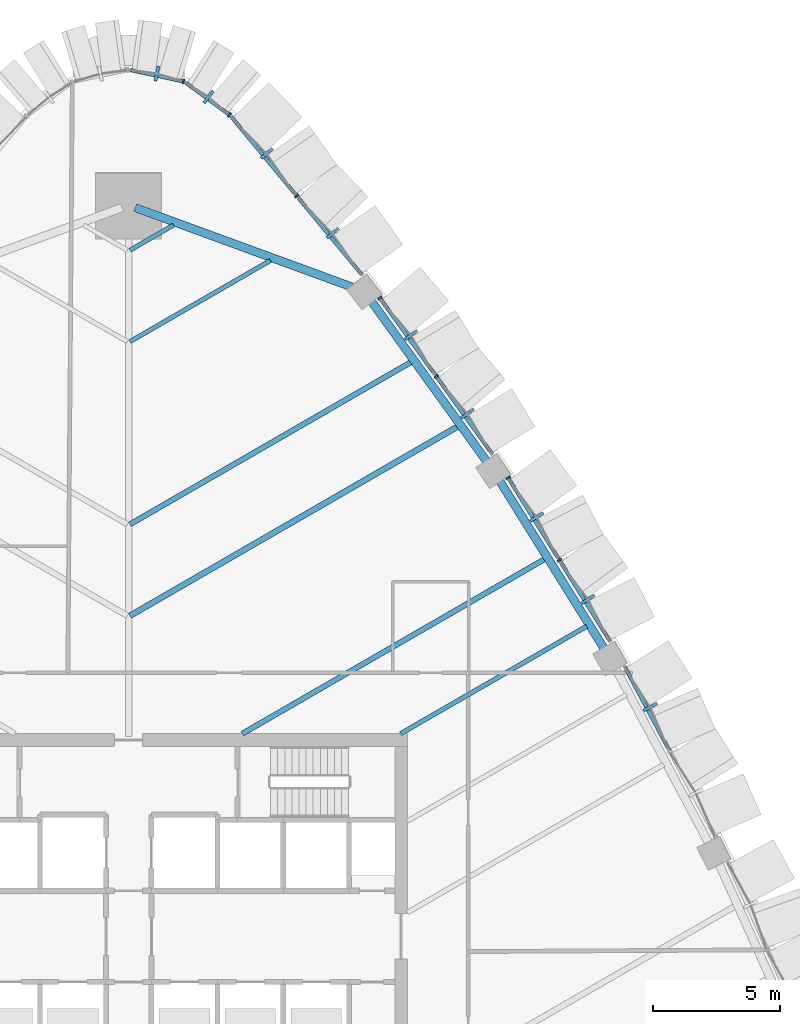
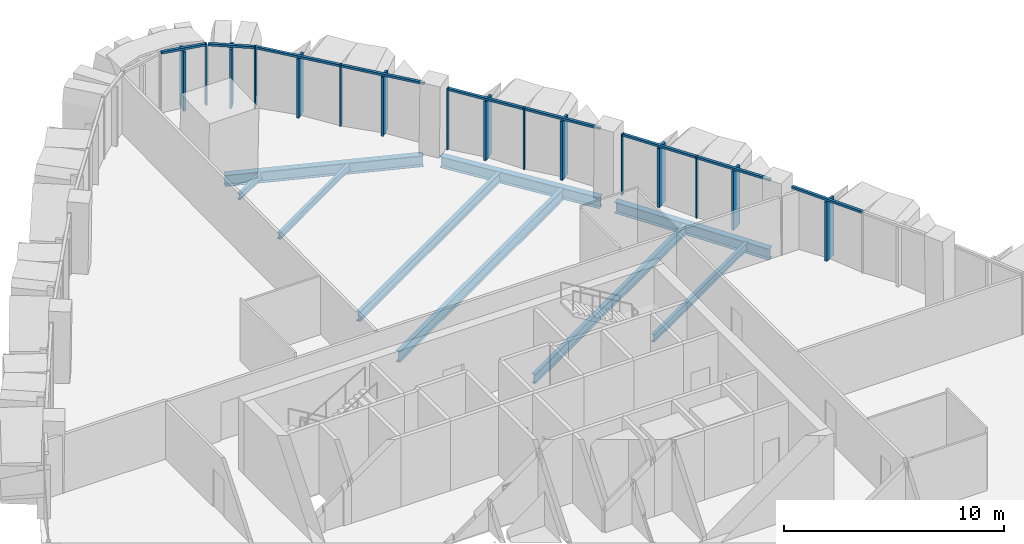
# One storey, part 7 of 18: 25 members, 9 beams, 6 elements without a shape of their own.
"""IFC4 building model written with IfcOpenShell, lengths in metres."""

from ifc_helpers import new_model, si_unit, direction, frame, origin, origin_2d, place, context, subcontext, project, spatial, rectangle, i_section, extrude, material, layer, layer_set, material_profile, profile_set, type_object, element, aggregate, save


model = new_model("IFC4")

# Units and contexts
model_context = context("Model", 3, precision=1e-05, world=origin(), true_north=direction((0.0, 1.0)))
body_context = subcontext(model_context, "Body", "Model", "MODEL_VIEW")
ifc_project = project(units=[si_unit("LENGTHUNIT", "METRE"), si_unit("AREAUNIT", "SQUARE_METRE"), si_unit("VOLUMEUNIT", "CUBIC_METRE"), si_unit("PLANEANGLEUNIT", "RADIAN"), si_unit("MASSUNIT", "GRAM", prefix="KILO")], contexts=[model_context])

# Site, building, storey
site_placement = place(None, origin())
site = spatial("IfcSite", under=ifc_project, at=site_placement, CompositionType="ELEMENT")
building_placement = place(site_placement, origin())
building = spatial("IfcBuilding", under=site, at=building_placement, Name="Sierra Prisma Convention Tower", CompositionType="ELEMENT")
storey_placement = place(building_placement, frame((0.0, 0.0, 129.800048828125)))
storey = spatial("IfcBuildingStorey", under=building, at=storey_placement, Name="L27", CompositionType="ELEMENT", Elevation=129.800048828125)

# Curtain wall, member
ifc_material_1 = material(Name="Aluminium and glass curtain wall", Category="aluminium")
ifc_layer = layer(ifc_material_1, 0.179931640625)
ifc_layer_set = layer_set([ifc_layer], Name="CW-2 Faceted crystal curtain wall")
curtain_wall_type = type_object("IfcCurtainWallType", Name="CW-2 Faceted crystal curtain wall", PredefinedType="NOTDEFINED", material=ifc_layer_set)
curtain_wall_1_placement = place(storey_placement, origin())
curtain_wall_1 = element("IfcCurtainWall", 1, at=curtain_wall_1_placement, inside=storey, type_object=curtain_wall_type, Name="CW-2 NE3 L27", PredefinedType="NOTDEFINED")
ifc_material_2 = material(Name="Aluminium 6063-T6 bronze anodised", Category="aluminium")
ifc_material_profile_1 = material_profile(ifc_material_2, rectangle(XDim=0.1201171875, YDim=0.60009765625, at=origin_2d()), Name="ALU RIDGE BLADE 120x600")
ifc_profile_set_1 = profile_set([ifc_material_profile_1], Name="Aluminium 6063-T6 bronze anodised")
member_type_1 = type_object("IfcMemberType", Name="CW hip bronze", PredefinedType="MULLION", material=ifc_profile_set_1)
member_1_placement = place(storey_placement, frame((20.587158203125, 9.053466796875, 0.0), z_axis=(0.0, 0.0, 1.0), x_axis=(-0.47075222337, 0.882265461294, 0.0)))
member_1 = element("IfcMember", 2, at=member_1_placement, type_object=member_type_1, Name="CW-2 ridge NE3.2", PredefinedType="MULLION", context=body_context, shape_type="SweptSolid", body=[
    extrude(rectangle(XDim=0.1201171875, YDim=0.60009765625, at=origin_2d()), origin(), (0.0, 0.0, 1.0), 3.280029296875),
])

# Curtain wall, members
curtain_wall_2_placement = place(storey_placement, origin())
curtain_wall_2 = element("IfcCurtainWall", 3, at=curtain_wall_2_placement, inside=storey, type_object=curtain_wall_type, Name="CW-2 NE4 L27", PredefinedType="NOTDEFINED")
member_2_placement = place(storey_placement, frame((18.13427734375, 13.30224609375, 0.0), z_axis=(0.0, 0.0, 1.0), x_axis=(-0.528688190677, 0.848816114974, 0.0)))
member_2 = element("IfcMember", 4, at=member_2_placement, type_object=member_type_1, Name="CW-2 ridge NE4.1", PredefinedType="MULLION", context=body_context, shape_type="SweptSolid", body=[
    extrude(rectangle(XDim=0.1201171875, YDim=0.60009765625, at=origin_2d()), origin(), (0.0, 0.0, 1.0), 3.280029296875),
])
member_3_placement = place(storey_placement, frame((16.10986328125, 16.552490234375, 0.0), z_axis=(0.0, 0.0, 1.0), x_axis=(-0.528688190677, 0.848816114974, 0.0)))
member_3 = element("IfcMember", 5, at=member_3_placement, type_object=member_type_1, Name="CW-2 ridge NE4.2", PredefinedType="MULLION", context=body_context, shape_type="SweptSolid", body=[
    extrude(rectangle(XDim=0.1201171875, YDim=0.60009765625, at=origin_2d()), origin(), (0.0, 0.0, 1.0), 3.280029296875),
])

curtain_wall_3_placement = place(storey_placement, origin())
curtain_wall_3 = element("IfcCurtainWall", 6, at=curtain_wall_3_placement, inside=storey, type_object=curtain_wall_type, Name="CW-2 NE5 L27", PredefinedType="NOTDEFINED")
member_4_placement = place(storey_placement, frame((13.375732421875, 20.631591796875, 0.0), z_axis=(0.0, 0.0, 1.0), x_axis=(-0.584258048296, 0.811567947249, 0.0)))
member_4 = element("IfcMember", 7, at=member_4_placement, type_object=member_type_1, Name="CW-2 ridge NE5.1", PredefinedType="MULLION", context=body_context, shape_type="SweptSolid", body=[
    extrude(rectangle(XDim=0.1201171875, YDim=0.60009765625, at=origin_2d()), origin(), (0.0, 0.0, 1.0), 3.280029296875),
])
member_5_placement = place(storey_placement, frame((11.147705078125, 23.7265625, 0.0), z_axis=(0.0, 0.0, 1.0), x_axis=(-0.584258048296, 0.811567947249, 0.0)))
member_5 = element("IfcMember", 8, at=member_5_placement, type_object=member_type_1, Name="CW-2 ridge NE5.2", PredefinedType="MULLION", context=body_context, shape_type="SweptSolid", body=[
    extrude(rectangle(XDim=0.1201171875, YDim=0.60009765625, at=origin_2d()), origin(), (0.0, 0.0, 1.0), 3.280029296875),
])

curtain_wall_4_placement = place(storey_placement, origin())
curtain_wall_4 = element("IfcCurtainWall", 9, at=curtain_wall_4_placement, inside=storey, type_object=curtain_wall_type, Name="CW-2 NE6 L27", PredefinedType="NOTDEFINED")
member_6_placement = place(storey_placement, frame((8.0556640625, 27.744384765625, 0.0), z_axis=(0.0, 0.0, 1.0), x_axis=(-0.637213096953, 0.770687659867, 0.0)))
member_6 = element("IfcMember", 10, at=member_6_placement, type_object=member_type_1, Name="CW-2 ridge NE6.1", PredefinedType="MULLION", context=body_context, shape_type="SweptSolid", body=[
    extrude(rectangle(XDim=0.1201171875, YDim=0.60009765625, at=origin_2d()), origin(), (0.0, 0.0, 1.0), 3.280029296875),
])
member_7_placement = place(storey_placement, frame((5.452392578125, 30.892822265625, 0.0), z_axis=(0.0, 0.0, 1.0), x_axis=(-0.637213096953, 0.770687659867, 0.0)))
member_7 = element("IfcMember", 11, at=member_7_placement, type_object=member_type_1, Name="CW-2 ridge NE6.2", PredefinedType="MULLION", context=body_context, shape_type="SweptSolid", body=[
    extrude(rectangle(XDim=0.1201171875, YDim=0.60009765625, at=origin_2d()), origin(), (0.0, 0.0, 1.0), 3.280029296875),
])

# Curtain wall, member
curtain_wall_5_placement = place(storey_placement, origin())
curtain_wall_5 = element("IfcCurtainWall", 12, at=curtain_wall_5_placement, inside=storey, type_object=curtain_wall_type, Name="CW-2 N1 L27", PredefinedType="NOTDEFINED")
member_8_placement = place(storey_placement, frame((3.1513671875, 33.12646484375, 0.0), z_axis=(0.0, 0.0, 1.0), x_axis=(-0.805161837096, 0.593055154336, 0.0)))
member_8 = element("IfcMember", 13, at=member_8_placement, type_object=member_type_1, Name="CW-2 ridge N1.1", PredefinedType="MULLION", context=body_context, shape_type="SweptSolid", body=[
    extrude(rectangle(XDim=0.1201171875, YDim=0.60009765625, at=origin_2d()), origin(), (0.0, 0.0, 1.0), 3.280029296875),
])

curtain_wall_6_placement = place(storey_placement, origin())
curtain_wall_6 = element("IfcCurtainWall", 14, at=curtain_wall_6_placement, inside=storey, type_object=curtain_wall_type, Name="CW-2 N2 L27", PredefinedType="NOTDEFINED")
member_9_placement = place(storey_placement, frame((1.115966796875, 34.043212890625, 0.0), z_axis=(0.0, 0.0, 1.0), x_axis=(-0.977692765089, 0.210040132101, 0.0)))
member_9 = element("IfcMember", 15, at=member_9_placement, type_object=member_type_1, Name="CW-2 ridge N2.1", PredefinedType="MULLION", context=body_context, shape_type="SweptSolid", body=[
    extrude(rectangle(XDim=0.1201171875, YDim=0.60009765625, at=origin_2d()), origin(), (0.0, 0.0, 1.0), 3.280029296875),
])

# Member
ifc_material_3 = material(Name="Aluminium 6063-T6 bronze anodised", Category="aluminium")
ifc_material_profile_2 = material_profile(ifc_material_3, rectangle(XDim=0.179931640625, YDim=0.070068359375, at=origin_2d()), Name="ALU MULLION 70x180")
ifc_profile_set_2 = profile_set([ifc_material_profile_2], Name="Aluminium 6063-T6 bronze anodised")
member_type_2 = type_object("IfcMemberType", Name="CW mullion bronze", PredefinedType="MULLION", material=ifc_profile_set_2)
member_10_placement = place(storey_placement, frame((16.99658203125, 14.84912109375, 0.0), z_axis=(0.0, 0.0, 1.0), x_axis=(-0.848816114974, -0.528688190677, 0.0)))
member_10 = element("IfcMember", 16, at=member_10_placement, type_object=member_type_2, Name="CW-1 mullion NE4.2", PredefinedType="MULLION", context=body_context, shape_type="SweptSolid", body=[
    extrude(rectangle(XDim=0.179931640625, YDim=0.070068359375, at=origin_2d()), origin(), (0.0, 0.0, 1.0), 3.39990234375),
])

member_11_placement = place(storey_placement, frame((14.97216796875, 18.09912109375, 0.0), z_axis=(0.0, 0.0, 1.0), x_axis=(-0.848816114974, -0.528688190677, 0.0)))
member_11 = element("IfcMember", 17, at=member_11_placement, type_object=member_type_2, Name="CW-1 mullion NE4.3", PredefinedType="MULLION", context=body_context, shape_type="SweptSolid", body=[
    extrude(rectangle(XDim=0.179931640625, YDim=0.070068359375, at=origin_2d()), origin(), (0.0, 0.0, 1.0), 3.39990234375),
])

member_12_placement = place(storey_placement, frame((12.14208984375, 22.093017578125, 0.0), z_axis=(0.0, 0.0, 1.0), x_axis=(-0.811567947249, -0.584258048296, 0.0)))
member_12 = element("IfcMember", 18, at=member_12_placement, type_object=member_type_2, Name="CW-1 mullion NE5.2", PredefinedType="MULLION", context=body_context, shape_type="SweptSolid", body=[
    extrude(rectangle(XDim=0.179931640625, YDim=0.070068359375, at=origin_2d()), origin(), (0.0, 0.0, 1.0), 3.39990234375),
])

member_13_placement = place(storey_placement, frame((9.9140625, 25.18798828125, 0.0), z_axis=(0.0, 0.0, 1.0), x_axis=(-0.811567947249, -0.584258048296, 0.0)))
member_13 = element("IfcMember", 19, at=member_13_placement, type_object=member_type_2, Name="CW-1 mullion NE5.3", PredefinedType="MULLION", context=body_context, shape_type="SweptSolid", body=[
    extrude(rectangle(XDim=0.179931640625, YDim=0.070068359375, at=origin_2d()), origin(), (0.0, 0.0, 1.0), 3.39990234375),
])

member_14_placement = place(storey_placement, frame((6.63232421875, 29.2177734375, 0.0), z_axis=(0.0, 0.0, 1.0), x_axis=(-0.770687659867, -0.637213096953, 0.0)))
member_14 = element("IfcMember", 20, at=member_14_placement, type_object=member_type_2, Name="CW-1 mullion NE6.2", PredefinedType="MULLION", context=body_context, shape_type="SweptSolid", body=[
    extrude(rectangle(XDim=0.179931640625, YDim=0.070068359375, at=origin_2d()), origin(), (0.0, 0.0, 1.0), 3.39990234375),
])

member_15_placement = place(storey_placement, frame((3.978759765625, 32.4140625, 0.0), z_axis=(0.0, 0.0, 1.0), x_axis=(-0.593055154336, -0.805161837096, 0.0)))
member_15 = element("IfcMember", 21, at=member_15_placement, type_object=member_type_2, Name="CW-1 mullion N1.1", PredefinedType="MULLION", context=body_context, shape_type="SweptSolid", body=[
    extrude(rectangle(XDim=0.179931640625, YDim=0.070068359375, at=origin_2d()), origin(), (0.0, 0.0, 1.0), 3.39990234375),
])

member_16_placement = place(storey_placement, frame((2.1630859375, 33.7333984375, 0.0), z_axis=(0.0, 0.0, 1.0), x_axis=(-0.210040132101, -0.977692765089, 0.0)))
member_16 = element("IfcMember", 22, at=member_16_placement, type_object=member_type_2, Name="CW-1 mullion N2.1", PredefinedType="MULLION", context=body_context, shape_type="SweptSolid", body=[
    extrude(rectangle(XDim=0.179931640625, YDim=0.070068359375, at=origin_2d()), origin(), (0.0, 0.0, 1.0), 3.39990234375),
])

ifc_material_4 = material(Name="Aluminium 6063-T6 bronze anodised", Category="aluminium")
ifc_material_profile_3 = material_profile(ifc_material_4, rectangle(XDim=0.139892578125, YDim=0.1201171875, at=origin_2d()), Name="ALU TRANSOM 120x140")
ifc_profile_set_3 = profile_set([ifc_material_profile_3], Name="Aluminium 6063-T6 bronze anodised")
member_type_3 = type_object("IfcMemberType", Name="CW transom bronze", PredefinedType="USERDEFINED", material=ifc_profile_set_3)
member_17_placement = place(storey_placement, frame((21.341552734375, 7.325927734375, 3.33984375), z_axis=(-0.470777014315, 0.88225223309, 0.0), x_axis=(-0.88225223309, -0.470777014315, 0.0)))
member_17 = element("IfcMember", 23, at=member_17_placement, type_object=member_type_3, Name="CW-1 transom NE3.2", ObjectType="TRANSOM", PredefinedType="USERDEFINED", context=body_context, shape_type="SweptSolid", body=[
    extrude(rectangle(XDim=0.139892578125, YDim=0.1201171875, at=origin_2d()), origin(), (0.0, 0.0, 1.0), 3.7587890625),
])

aggregate(curtain_wall_1, [member_17, member_1])

member_18_placement = place(storey_placement, frame((19.00244140625, 11.62890625, 3.33984375), z_axis=(-0.528713876805, 0.848800115736, 0.0), x_axis=(-0.848800115736, -0.528713876805, 0.0)))
member_18 = element("IfcMember", 24, at=member_18_placement, type_object=member_type_3, Name="CW-1 transom NE4.1", ObjectType="TRANSOM", PredefinedType="USERDEFINED", context=body_context, shape_type="SweptSolid", body=[
    extrude(rectangle(XDim=0.139892578125, YDim=0.1201171875, at=origin_2d()), origin(), (0.0, 0.0, 1.0), 3.7587890625),
])

member_19_placement = place(storey_placement, frame((16.97802734375, 14.87890625, 3.33984375), z_axis=(-0.528684729182, 0.848818270968, 0.0), x_axis=(-0.848818270968, -0.528684729182, 0.0)))
member_19 = element("IfcMember", 25, at=member_19_placement, type_object=member_type_3, Name="CW-1 transom NE4.2", ObjectType="TRANSOM", PredefinedType="USERDEFINED", context=body_context, shape_type="SweptSolid", body=[
    extrude(rectangle(XDim=0.139892578125, YDim=0.1201171875, at=origin_2d()), origin(), (0.0, 0.0, 1.0), 3.759033203125),
])

aggregate(curtain_wall_2, [member_10, member_11, member_18, member_2, member_19, member_3])

member_20_placement = place(storey_placement, frame((14.349853515625, 19.0263671875, 3.33984375), z_axis=(-0.584244596207, 0.811577631409, 0.0), x_axis=(-0.811577631409, -0.584244596207, 0.0)))
member_20 = element("IfcMember", 26, at=member_20_placement, type_object=member_type_3, Name="CW-1 transom NE5.1", ObjectType="TRANSOM", PredefinedType="USERDEFINED", context=body_context, shape_type="SweptSolid", body=[
    extrude(rectangle(XDim=0.139892578125, YDim=0.1201171875, at=origin_2d()), origin(), (0.0, 0.0, 1.0), 3.74365234375),
])

member_21_placement = place(storey_placement, frame((12.12158203125, 22.121337890625, 3.33984375), z_axis=(-0.584201640574, 0.811608552907, 0.0), x_axis=(-0.811608552907, -0.584201640574, 0.0)))
member_21 = element("IfcMember", 27, at=member_21_placement, type_object=member_type_3, Name="CW-1 transom NE5.2", ObjectType="TRANSOM", PredefinedType="USERDEFINED", context=body_context, shape_type="SweptSolid", body=[
    extrude(rectangle(XDim=0.139892578125, YDim=0.1201171875, at=origin_2d()), origin(), (0.0, 0.0, 1.0), 3.74365234375),
])

aggregate(curtain_wall_3, [member_12, member_13, member_20, member_4, member_21, member_5])

member_22_placement = place(storey_placement, frame((9.213134765625, 26.096435546875, 3.33984375), z_axis=(-0.637219220253, 0.770682597014, 0.0), x_axis=(-0.770682597014, -0.637219220253, 0.0)))
member_22 = element("IfcMember", 28, at=member_22_placement, type_object=member_type_3, Name="CW-1 transom NE6.1", ObjectType="TRANSOM", PredefinedType="USERDEFINED", context=body_context, shape_type="SweptSolid", body=[
    extrude(rectangle(XDim=0.139892578125, YDim=0.1201171875, at=origin_2d()), origin(), (0.0, 0.0, 1.0), 4.01513671875),
])

member_23_placement = place(storey_placement, frame((6.60986328125, 29.244873046875, 3.33984375), z_axis=(-0.637183103897, 0.770712457476, 0.0), x_axis=(-0.770712457476, -0.637183103897, 0.0)))
member_23 = element("IfcMember", 29, at=member_23_placement, type_object=member_type_3, Name="CW-1 transom NE6.2", ObjectType="TRANSOM", PredefinedType="USERDEFINED", context=body_context, shape_type="SweptSolid", body=[
    extrude(rectangle(XDim=0.139892578125, YDim=0.1201171875, at=origin_2d()), origin(), (0.0, 0.0, 1.0), 4.01513671875),
])

aggregate(curtain_wall_4, [member_14, member_22, member_6, member_23, member_7])

member_24_placement = place(storey_placement, frame((3.950439453125, 32.434814453125, 3.33984375), z_axis=(-0.805169386396, 0.593044904886, 0.0), x_axis=(-0.593044904886, -0.805169386396, 0.0)))
member_24 = element("IfcMember", 30, at=member_24_placement, type_object=member_type_3, Name="CW-1 transom N1.1", ObjectType="TRANSOM", PredefinedType="USERDEFINED", context=body_context, shape_type="SweptSolid", body=[
    extrude(rectangle(XDim=0.139892578125, YDim=0.1201171875, at=origin_2d()), origin(), (0.0, 0.0, 1.0), 2.107421875),
])

aggregate(curtain_wall_5, [member_15, member_24, member_8])

member_25_placement = place(storey_placement, frame((2.12890625, 33.74072265625, 3.33984375), z_axis=(-0.977697186632, 0.210019549688, 0.0), x_axis=(-0.210019549688, -0.977697186632, 0.0)))
member_25 = element("IfcMember", 31, at=member_25_placement, type_object=member_type_3, Name="CW-1 transom N2.1", ObjectType="TRANSOM", PredefinedType="USERDEFINED", context=body_context, shape_type="SweptSolid", body=[
    extrude(rectangle(XDim=0.139892578125, YDim=0.1201171875, at=origin_2d()), origin(), (0.0, 0.0, 1.0), 2.107666015625),
])

aggregate(curtain_wall_6, [member_16, member_25, member_9])

# Beams
ifc_material_5 = material(Name="Steel ASTM A992 Gr 50", Category="steel")
ifc_material_profile_4 = material_profile(ifc_material_5, i_section(OverallWidth=0.172119140625, OverallDepth=0.35791015625, WebThickness=0.0078125, FlangeThickness=0.01318359375, at=origin_2d()), Name="W360x57")
ifc_profile_set_4 = profile_set([ifc_material_profile_4], Name="Steel ASTM A992 Gr 50")
beam_type_1 = type_object("IfcBeamType", Name="Floor joist W360x57", PredefinedType="JOIST", material=ifc_profile_set_4)
beam_1_placement = place(storey_placement, frame((5.5927734375, 26.668212890625, -0.3291015625), z_axis=(-0.866022944154, -0.50000426018, 0.0), x_axis=(0.50000426018, -0.866022944154, 0.0)))
element("IfcBeam", 32, at=beam_1_placement, inside=storey, type_object=beam_type_1, Name="Floor joist L27 NE15", PredefinedType="JOIST", context=body_context, shape_type="SweptSolid", body=[
    extrude(i_section(OverallWidth=0.172119140625, OverallDepth=0.35791015625, WebThickness=0.0078125, FlangeThickness=0.01318359375, at=origin_2d()), origin(), (0.0, 0.0, 1.0), 6.3994140625),
])
beam_2_placement = place(storey_placement, frame((1.77099609375, 28.067626953125, -0.3291015625), z_axis=(-0.866025935826, -0.499999078476, 0.0), x_axis=(0.499999078476, -0.866025935826, 0.0)))
element("IfcBeam", 33, at=beam_2_placement, inside=storey, type_object=beam_type_1, Name="Floor joist L27 NE16", PredefinedType="JOIST", context=body_context, shape_type="SweptSolid", body=[
    extrude(i_section(OverallWidth=0.172119140625, OverallDepth=0.35791015625, WebThickness=0.0078125, FlangeThickness=0.01318359375, at=origin_2d()), origin(), (0.0, 0.0, 1.0), 1.986328125),
])
ifc_material_6 = material(Name="Steel ASTM A992 Gr 50", Category="steel")
ifc_material_profile_5 = material_profile(ifc_material_6, i_section(OverallWidth=0.177978515625, OverallDepth=0.406982421875, WebThickness=0.0078125, FlangeThickness=0.0126953125, at=origin_2d()), Name="W410x60")
ifc_profile_set_5 = profile_set([ifc_material_profile_5], Name="Steel ASTM A992 Gr 50")
beam_type_2 = type_object("IfcBeamType", Name="Floor joist W410x60", PredefinedType="JOIST", material=ifc_profile_set_5)
beam_3_placement = place(storey_placement, frame((18.0771484375, 12.23974609375, -0.353515625), z_axis=(-0.866034081815, -0.499984968909, 0.0), x_axis=(0.499984968909, -0.866034081815, 0.0)))
element("IfcBeam", 34, at=beam_3_placement, inside=storey, type_object=beam_type_2, Name="Floor joist L27 NE09", PredefinedType="JOIST", context=body_context, shape_type="SweptSolid", body=[
    extrude(i_section(OverallWidth=0.177978515625, OverallDepth=0.406982421875, WebThickness=0.0078125, FlangeThickness=0.0126953125, at=origin_2d()), origin(), (0.0, 0.0, 1.0), 8.479736328125),
])
ifc_material_7 = material(Name="Steel ASTM A992 Gr 50", Category="steel")
ifc_material_profile_6 = material_profile(ifc_material_7, i_section(OverallWidth=0.208984375, OverallDepth=0.532958984375, WebThickness=0.01025390625, FlangeThickness=0.015625, at=origin_2d()), Name="W530x92")
ifc_profile_set_6 = profile_set([ifc_material_profile_6], Name="Steel ASTM A992 Gr 50")
beam_type_3 = type_object("IfcBeamType", Name="Floor joist W530x92", PredefinedType="JOIST", material=ifc_profile_set_6)
beam_4_placement = place(storey_placement, frame((16.425048828125, 14.89208984375, -0.41650390625), z_axis=(-0.866021886639, -0.500006091826, 0.0), x_axis=(0.500006091826, -0.866021886639, 0.0)))
element("IfcBeam", 35, at=beam_4_placement, inside=storey, type_object=beam_type_3, Name="Floor joist L27 NE10", PredefinedType="JOIST", context=body_context, shape_type="SweptSolid", body=[
    extrude(i_section(OverallWidth=0.208984375, OverallDepth=0.532958984375, WebThickness=0.01025390625, FlangeThickness=0.015625, at=origin_2d()), origin(), (0.0, 0.0, 1.0), 13.783935546875),
])
beam_5_placement = place(storey_placement, frame((11.15771484375, 22.6689453125, -0.41650390625), z_axis=(-0.866025182435, -0.500000383388, 0.0), x_axis=(0.500000383388, -0.866025182435, 0.0)))
element("IfcBeam", 36, at=beam_5_placement, inside=storey, type_object=beam_type_3, Name="Floor joist L27 NE13", PredefinedType="JOIST", context=body_context, shape_type="SweptSolid", body=[
    extrude(i_section(OverallWidth=0.208984375, OverallDepth=0.532958984375, WebThickness=0.01025390625, FlangeThickness=0.015625, at=origin_2d()), origin(), (0.0, 0.0, 1.0), 12.8251953125),
])
ifc_material_8 = material(Name="Steel ASTM A992 Gr 50", Category="steel")
ifc_material_profile_7 = material_profile(ifc_material_8, i_section(OverallWidth=0.22802734375, OverallDepth=0.60302734375, WebThickness=0.010498046875, FlangeThickness=0.014892578125, at=origin_2d()), Name="W610x101")
ifc_profile_set_7 = profile_set([ifc_material_profile_7], Name="Steel ASTM A992 Gr 50")
beam_type_4 = type_object("IfcBeamType", Name="Floor joist W610x101", PredefinedType="JOIST", material=ifc_profile_set_7)
beam_6_placement = place(storey_placement, frame((12.991455078125, 20.12158203125, -0.45166015625), z_axis=(-0.866028594645, -0.499994473226, 0.0), x_axis=(0.499994473226, -0.866028594645, 0.0)))
element("IfcBeam", 37, at=beam_6_placement, inside=storey, type_object=beam_type_4, Name="Floor joist L27 NE12", PredefinedType="JOIST", context=body_context, shape_type="SweptSolid", body=[
    extrude(i_section(OverallWidth=0.22802734375, OverallDepth=0.60302734375, WebThickness=0.010498046875, FlangeThickness=0.014892578125, at=origin_2d()), origin(), (0.0, 0.0, 1.0), 14.942626953125),
])
ifc_material_9 = material(Name="Steel ASTM A992 Gr 50", Category="steel")
ifc_material_profile_8 = material_profile(ifc_material_9, i_section(OverallWidth=0.324951171875, OverallDepth=0.615966796875, WebThickness=0.013916015625, FlangeThickness=0.021484375, at=origin_2d()), Name="W610x174")
ifc_profile_set_8 = profile_set([ifc_material_profile_8], Name="Steel ASTM A992 Gr 50")
beam_type_5 = type_object("IfcBeamType", Name="Spandrel beam W610x174", PredefinedType="BEAM", material=ifc_profile_set_8)
for number, where, z_axis, x_axis, name in (
    (38, (18.799560546875, 11.292724609375, -0.4580078125), (-0.528679858809, 0.848821304451, 0.0), (-0.848821304451, -0.528679858809, 0.0), "Spandrel L27-10"),
    (39, (14.169921875, 18.677734375, -0.4580078125), (-0.584252989263, 0.811571589287, 0.0), (-0.811571589287, -0.584252989263, 0.0), "Spandrel L27-11"),
):
    element("IfcBeam", number, at=place(storey_placement, frame(where, z_axis=z_axis, x_axis=x_axis)), inside=storey, type_object=beam_type_5, Name=name, PredefinedType="BEAM", context=body_context, shape_type="SweptSolid", body=[
        extrude(i_section(OverallWidth=0.324951171875, OverallDepth=0.615966796875, WebThickness=0.013916015625, FlangeThickness=0.021484375, at=origin_2d()), origin(), (0.0, 0.0, 1.0), 7.956298828125),
    ])
beam_7_placement = place(storey_placement, frame((8.85693359375, 25.605224609375, -0.4580078125), z_axis=(-0.939035096496, 0.343821301767, 0.0), x_axis=(-0.343821301767, -0.939035096496, 0.0)))
element("IfcBeam", 40, at=beam_7_placement, inside=storey, type_object=beam_type_5, Name="Spandrel L27-12", PredefinedType="BEAM", context=body_context, shape_type="SweptSolid", body=[
    extrude(i_section(OverallWidth=0.324951171875, OverallDepth=0.615966796875, WebThickness=0.013916015625, FlangeThickness=0.021484375, at=origin_2d()), origin(), (0.0, 0.0, 1.0), 9.155029296875),
])

save(model, "model.ifc")
